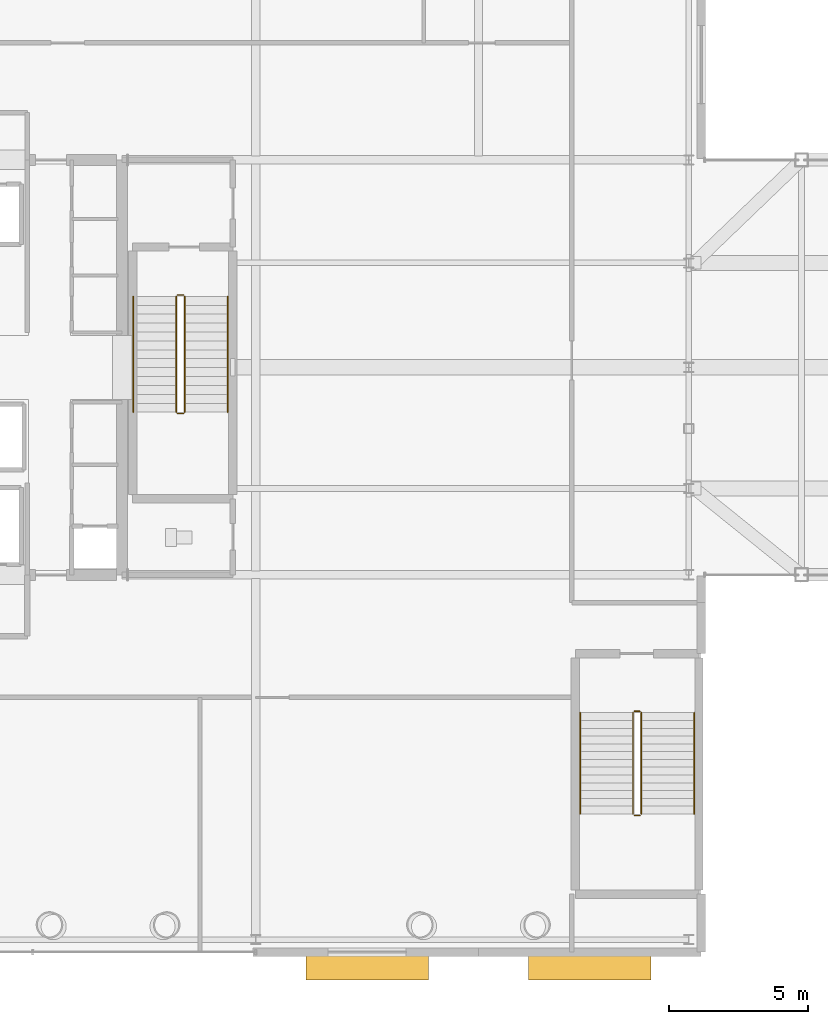
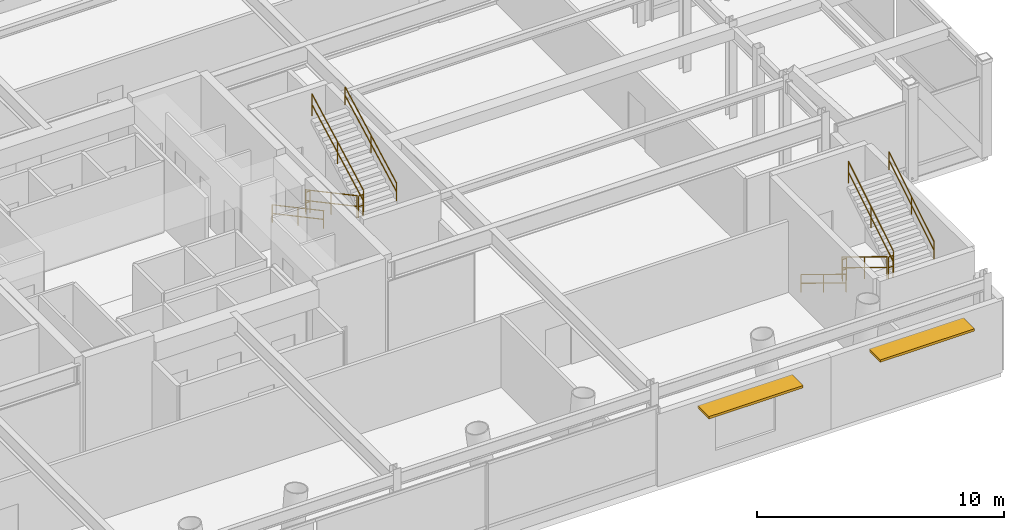
# One storey, part 24 of 26: 12 railings, 2 shading devices.
"""IFC4 building model written with IfcOpenShell, lengths in metres."""

import ifcopenshell
import ifcopenshell.guid

model = None  # the IFC model being written
_history = None  # IfcOwnerHistory: only IFC2X3 demands one
_inside = {}  # id of a spatial element -> (the spatial element, [elements in it])
_under = {}  # id of a project, library or spatial element -> (it, [spatial elements below it])
_declared = {}  # id of a project -> (the project, [libraries it declares])
_typed = {}  # id of a type object -> (the type object, [elements of that type])
_made_of = {}  # id of a material, layer set ... -> (it, [elements and type objects made of it])


def new_model(schema):
    """Start an empty IFC model of exactly this schema.

    Asked for "IFC4X3", IfcOpenShell would pick the latest addendum, in which some entities
    have other attributes; the version numbers below select the first issue.
    IFC2X3 requires an IfcOwnerHistory on every rooted entity: one is made here for all.
    """
    global model, _history
    if schema == "IFC4X3":
        model = ifcopenshell.file(schema_version=(4, 3, 0, 0))
    else:
        model = ifcopenshell.file(schema=schema)
    _inside.clear()
    _under.clear()
    _declared.clear()
    _typed.clear()
    _made_of.clear()
    _history = None
    if model.schema == "IFC2X3":
        org = make("IfcOrganization", Name="unknown")
        user = make(
            "IfcPersonAndOrganization",
            ThePerson=make("IfcPerson", FamilyName="unknown"),
            TheOrganization=org,
        )
        app = make(
            "IfcApplication",
            ApplicationDeveloper=org,
            Version="unknown",
            ApplicationFullName="unknown",
            ApplicationIdentifier="unknown",
        )
        _history = make(
            "IfcOwnerHistory",
            OwningUser=user,
            OwningApplication=app,
            ChangeAction="ADDED",
            CreationDate=0,
        )
    return model


def make(cls, **values):
    """One entity of the class cls with the attributes given. An attribute that is None is left unset."""
    return model.create_entity(
        cls, **{name: value for name, value in values.items() if value is not None}
    )


def rooted(cls, **values):
    """An entity with a GlobalId (a new one), such as an element, a storey or a relation."""
    return make(cls, GlobalId=ifcopenshell.guid.new(), OwnerHistory=_history, **values)


def si_unit(unit_type, name, prefix=None):
    """IfcSIUnit, for example si_unit("LENGTHUNIT", "METRE", prefix="MILLI")."""
    return make("IfcSIUnit", UnitType=unit_type, Prefix=prefix, Name=name)


def assignment(units):
    """IfcUnitAssignment: the units of a project."""
    return None if units is None else make("IfcUnitAssignment", Units=units)


def point(xyz):
    """IfcCartesianPoint."""
    return None if xyz is None else make("IfcCartesianPoint", Coordinates=xyz)


def direction(xyz):
    """IfcDirection."""
    return None if xyz is None else make("IfcDirection", DirectionRatios=xyz)


def frame(location, z_axis=None, x_axis=None):
    """IfcAxis2Placement3D, a coordinate frame: its origin and axes. An axis left out is left unset."""
    return make(
        "IfcAxis2Placement3D",
        Location=point(location),
        Axis=direction(z_axis),
        RefDirection=direction(x_axis),
    )


def frame_2d(location, x_axis=None):
    """IfcAxis2Placement2D, a coordinate frame in the plane: its origin and x axis."""
    return make(
        "IfcAxis2Placement2D", Location=point(location), RefDirection=direction(x_axis)
    )


def origin():
    """The frame at (0, 0, 0) with its axes left unset."""
    return frame((0.0, 0.0, 0.0))


def origin_2d():
    """The frame at (0, 0) in the plane with its x axis left unset."""
    return frame_2d((0.0, 0.0))


def place(relative_to, where):
    """IfcLocalPlacement: puts the frame where relative to a parent placement (None: the world)."""
    return make(
        "IfcLocalPlacement", PlacementRelTo=relative_to, RelativePlacement=where
    )


def context(
    kind, dimensions, precision=None, world=None, true_north=None, identifier=None
):
    """IfcGeometricRepresentationContext, for example the 3D "Model" context."""
    return make(
        "IfcGeometricRepresentationContext",
        ContextIdentifier=identifier,
        ContextType=kind,
        CoordinateSpaceDimension=dimensions,
        Precision=precision,
        WorldCoordinateSystem=world,
        TrueNorth=true_north,
    )


def subcontext(parent, identifier, kind, view, scale=None):
    """IfcGeometricRepresentationSubContext, for example "Body" below "Model"."""
    return make(
        "IfcGeometricRepresentationSubContext",
        ContextIdentifier=identifier,
        ContextType=kind,
        ParentContext=parent,
        TargetScale=scale,
        TargetView=view,
    )


def project(units=None, contexts=None):
    """IfcProject with its units and contexts."""
    return rooted(
        "IfcProject",
        Name="project",
        RepresentationContexts=contexts,
        UnitsInContext=assignment(units),
    )


def spatial(cls, under=None, at=None, **own):
    """A site, building, storey or space (cls), placed at a placement, below another one or the project."""
    s = rooted(cls, ObjectPlacement=at, **own)
    if under is not None:
        _under.setdefault(under.id(), (under, []))[1].append(s)
    return s


def profile(cls, at=None, kind="AREA", **sizes):
    """A parametric profile (cls). Its sizes go by their IFC names, for example OverallWidth=200.0."""
    return make(cls, ProfileType=kind, Position=at, **sizes)


def rectangle(**sizes):
    """IfcRectangleProfileDef."""
    return profile("IfcRectangleProfileDef", **sizes)


def circle(**sizes):
    """IfcCircleProfileDef."""
    return profile("IfcCircleProfileDef", **sizes)


def extrude(swept, where, along, depth):
    """IfcExtrudedAreaSolid: the profile swept, set in the frame where, extruded along a direction by depth."""
    return make(
        "IfcExtrudedAreaSolid",
        SweptArea=swept,
        Position=where,
        ExtrudedDirection=direction(along),
        Depth=depth,
    )


def shape(context_of_items, identifier, shape_type, items):
    """IfcShapeRepresentation: the items that make up one representation, for example the "Body"."""
    return make(
        "IfcShapeRepresentation",
        ContextOfItems=context_of_items,
        RepresentationIdentifier=identifier,
        RepresentationType=shape_type,
        Items=items,
    )


def material(Name=None, Category=None):
    """IfcMaterial."""
    return make("IfcMaterial", Name=Name, Category=Category)


def layer(
    of_material, thickness, ventilated=None, Name=None, Category=None, Priority=None
):
    """IfcMaterialLayer: one layer of a wall or slab, of a material (None: an air gap)."""
    return make(
        "IfcMaterialLayer",
        Material=of_material,
        LayerThickness=thickness,
        IsVentilated=ventilated,
        Name=Name,
        Category=Category,
        Priority=Priority,
    )


def layer_set(layers, Name=None):
    """IfcMaterialLayerSet."""
    return make("IfcMaterialLayerSet", MaterialLayers=layers, LayerSetName=Name)


def made_of(thing, what):
    """Note that an element or type object is made of a material, layer set ...; save() writes the relation."""
    if what is not None:
        _made_of.setdefault(what.id(), (what, []))[1].append(thing)
    return thing


def type_object(cls, material=None, **own):
    """A type object (cls), such as IfcWallType, which elements share."""
    return made_of(rooted(cls, **own), material)


def element(
    cls,
    number,
    at=None,
    inside=None,
    cuts=None,
    type_object=None,
    material=None,
    context=None,
    identifier="Body",
    shape_type=None,
    held_by="IfcProductDefinitionShape",
    body=None,
    shapes=None,
    **own,
):
    """One element of the class cls, such as IfcWall. Its Tag is "e" and its number.

    at: its placement. inside: the storey or other place that contains it. cuts: it is an
    opening in that element (IfcRelVoidsElement). A single representation is given by context,
    identifier, shape_type and body (its items); several are given by shapes. held_by: the class
    of the entity that holds the representations. save() writes the other relations.
    """
    e = rooted(cls, Tag="e%d" % number, ObjectPlacement=at, **own)
    if body is not None:
        shapes = [shape(context, identifier, shape_type, body)]
    if shapes is not None:
        e.Representation = make(held_by, Representations=shapes)
    if inside is not None:
        _inside.setdefault(inside.id(), (inside, []))[1].append(e)
    if cuts is not None:
        rooted(
            "IfcRelVoidsElement", RelatingBuildingElement=cuts, RelatedOpeningElement=e
        )
    if type_object is not None:
        _typed.setdefault(type_object.id(), (type_object, []))[1].append(e)
    return made_of(e, material)


def aggregate(whole, parts):
    """IfcRelAggregates: a whole, such as a stair, and the parts it consists of."""
    return rooted("IfcRelAggregates", RelatingObject=whole, RelatedObjects=parts)


def save(model, path):
    """Write the relations noted so far, then the file.

    IfcRelAggregates (storeys below a building ...), IfcRelContainedInSpatialStructure (elements
    in a storey), IfcRelDefinesByType, IfcRelAssociatesMaterial and IfcRelDeclares: one each for
    every whole, place, type object, material and project.
    """
    for whole, parts in _under.values():
        aggregate(whole, parts)
    for where, things in _inside.values():
        rooted(
            "IfcRelContainedInSpatialStructure",
            RelatedElements=things,
            RelatingStructure=where,
        )
    for kind, things in _typed.values():
        rooted("IfcRelDefinesByType", RelatedObjects=things, RelatingType=kind)
    for what, things in _made_of.values():
        rooted("IfcRelAssociatesMaterial", RelatedObjects=things, RelatingMaterial=what)
    for by, libraries in _declared.values():
        rooted("IfcRelDeclares", RelatingContext=by, RelatedDefinitions=libraries)
    model.write(path)


model = new_model("IFC4")

# Units and contexts
model_context = context("Model", 3, precision=1e-05, world=origin(), true_north=direction((0.0, 1.0)))
body_context = subcontext(model_context, "Body", "Model", "MODEL_VIEW")
ifc_project = project(units=[si_unit("LENGTHUNIT", "METRE"), si_unit("AREAUNIT", "SQUARE_METRE"), si_unit("VOLUMEUNIT", "CUBIC_METRE"), si_unit("PLANEANGLEUNIT", "RADIAN"), si_unit("MASSUNIT", "GRAM", prefix="KILO")], contexts=[model_context])

# Site, building, storey
site_placement = place(None, origin())
site = spatial("IfcSite", under=ifc_project, at=site_placement, CompositionType="ELEMENT")
building_placement = place(site_placement, origin())
building = spatial("IfcBuilding", under=site, at=building_placement, Name="Veldorina Hangang Commons", CompositionType="ELEMENT")
storey_placement = place(building_placement, frame((0.0, 0.0, 10.0)))
storey = spatial("IfcBuildingStorey", under=building, at=storey_placement, Name="L02", CompositionType="ELEMENT", Elevation=10.0)

# Railings
ifc_material_1 = material(Name="Steel Painted Balustrade", Category="steel")
railing_type_1 = type_object("IfcRailingType", Name="RL-GRD-STAIR", PredefinedType="GUARDRAIL", material=ifc_material_1)
railing_1_placement = place(storey_placement, frame((41.14990234375, 26.550048828125, 0.17138671875)))
element("IfcRailing", 1, at=railing_1_placement, inside=storey, type_object=railing_type_1, Name="L02 ST-2 stair guard 1", PredefinedType="GUARDRAIL", context=body_context, shape_type="SweptSolid", body=[
    extrude(circle(Radius=0.02392578125, at=origin_2d()), frame((0.0, 0.0, 1.076171875), z_axis=(0.0, -0.881492274372, 0.472198443689), x_axis=(1.0, 0.0, 0.0)), (0.0, 0.0, 1.0), 4.719482421875),
    extrude(circle(Radius=0.02392578125, at=origin_2d()), frame((0.0, 0.0, 0.550048828125), z_axis=(0.0, -0.881492274372, 0.472198443689), x_axis=(1.0, 0.0, 0.0)), (0.0, 0.0, 1.0), 4.719482421875),
    extrude(circle(Radius=0.02099609375, at=origin_2d()), origin(), (0.0, 0.0, 1.0), 1.052001953125),
    extrude(circle(Radius=0.02099609375, at=origin_2d()), frame((0.0, -2.080078125, 1.1142578125)), (0.0, 0.0, 1.0), 1.052001953125),
    extrude(circle(Radius=0.02099609375, at=origin_2d()), frame((0.0, -4.16015625, 2.228515625)), (0.0, 0.0, 1.0), 1.052001953125),
])
railing_2_placement = place(storey_placement, frame((41.199951171875, 22.340087890625, 2.39990234375)))
element("IfcRailing", 2, at=railing_2_placement, inside=storey, type_object=railing_type_1, Name="L02 ST-2 stair guard 2", PredefinedType="GUARDRAIL", context=body_context, shape_type="SweptSolid", body=[
    extrude(circle(Radius=0.02392578125, at=origin_2d()), frame((0.0, 0.0, 1.076171875), z_axis=(1.0, 0.0, 0.0), x_axis=(0.0, 1.0, 0.0)), (0.0, 0.0, 1.0), 0.199951171875),
    extrude(circle(Radius=0.02392578125, at=origin_2d()), frame((0.0, 0.0, 0.550048828125), z_axis=(1.0, 0.0, 0.0), x_axis=(0.0, 1.0, 0.0)), (0.0, 0.0, 1.0), 0.199951171875),
    extrude(circle(Radius=0.02099609375, at=origin_2d()), origin(), (0.0, 0.0, 1.0), 1.052001953125),
    extrude(circle(Radius=0.02099609375, at=origin_2d()), frame((0.199951171875, 0.0, 0.0)), (0.0, 0.0, 1.0), 1.052001953125),
])
railing_3_placement = place(storey_placement, frame((41.449951171875, 22.389892578125, 2.571533203125)))
element("IfcRailing", 3, at=railing_3_placement, inside=storey, type_object=railing_type_1, Name="L02 ST-2 stair guard 3", PredefinedType="GUARDRAIL", context=body_context, shape_type="SweptSolid", body=[
    extrude(circle(Radius=0.02392578125, at=origin_2d()), frame((0.0, 0.0, 1.076171875), z_axis=(0.0, 0.881492274372, 0.472198443689), x_axis=(-1.0, 0.0, 0.0)), (0.0, 0.0, 1.0), 4.719482421875),
    extrude(circle(Radius=0.02392578125, at=origin_2d()), frame((0.0, 0.0, 0.550048828125), z_axis=(0.0, 0.881492274372, 0.472198443689), x_axis=(-1.0, 0.0, 0.0)), (0.0, 0.0, 1.0), 4.719482421875),
    extrude(circle(Radius=0.02099609375, at=origin_2d()), origin(), (0.0, 0.0, 1.0), 1.052001953125),
    extrude(circle(Radius=0.02099609375, at=origin_2d()), frame((0.0, 2.080078125, 1.1142578125)), (0.0, 0.0, 1.0), 1.052001953125),
    extrude(circle(Radius=0.02099609375, at=origin_2d()), frame((0.0, 4.16015625, 2.228515625)), (0.0, 0.0, 1.0), 1.052001953125),
])
railing_4_placement = place(storey_placement, frame((41.199951171875, 26.60009765625, 0.0)))
element("IfcRailing", 4, at=railing_4_placement, inside=storey, type_object=railing_type_1, Name="L02 ST-2 stair guard 4", PredefinedType="GUARDRAIL", context=body_context, shape_type="SweptSolid", body=[
    extrude(circle(Radius=0.02392578125, at=origin_2d()), frame((0.0, 0.0, 1.076171875), z_axis=(1.0, 0.0, 0.0), x_axis=(0.0, 1.0, 0.0)), (0.0, 0.0, 1.0), 0.199951171875),
    extrude(circle(Radius=0.02392578125, at=origin_2d()), frame((0.0, 0.0, 0.550048828125), z_axis=(1.0, 0.0, 0.0), x_axis=(0.0, 1.0, 0.0)), (0.0, 0.0, 1.0), 0.199951171875),
    extrude(circle(Radius=0.02099609375, at=origin_2d()), origin(), (0.0, 0.0, 1.0), 1.052001953125),
    extrude(circle(Radius=0.02099609375, at=origin_2d()), frame((0.199951171875, 0.0, 0.0)), (0.0, 0.0, 1.0), 1.052001953125),
])
railing_5_placement = place(storey_placement, frame((57.550048828125, 11.60009765625, 0.17138671875)))
element("IfcRailing", 5, at=railing_5_placement, inside=storey, type_object=railing_type_1, Name="L02 ST-P2 stair guard 1", PredefinedType="GUARDRAIL", context=body_context, shape_type="SweptSolid", body=[
    extrude(circle(Radius=0.02392578125, at=origin_2d()), frame((0.0, 0.0, 1.076171875), z_axis=(0.0, -0.852865859571, 0.52213008492), x_axis=(1.0, 0.0, 0.0)), (0.0, 0.0, 1.0), 4.26806640625),
    extrude(circle(Radius=0.02392578125, at=origin_2d()), frame((0.0, 0.0, 0.550048828125), z_axis=(0.0, -0.852865859571, 0.52213008492), x_axis=(1.0, 0.0, 0.0)), (0.0, 0.0, 1.0), 4.26806640625),
    extrude(circle(Radius=0.02099609375, at=origin_2d()), origin(), (0.0, 0.0, 1.0), 1.052001953125),
    extrude(circle(Radius=0.02099609375, at=origin_2d()), frame((0.0, -1.820068359375, 1.1142578125)), (0.0, 0.0, 1.0), 1.052001953125),
    extrude(circle(Radius=0.02099609375, at=origin_2d()), frame((0.0, -3.64013671875, 2.228515625)), (0.0, 0.0, 1.0), 1.052001953125),
])
railing_6_placement = place(storey_placement, frame((57.60009765625, 7.909912109375, 2.39990234375)))
element("IfcRailing", 6, at=railing_6_placement, inside=storey, type_object=railing_type_1, Name="L02 ST-P2 stair guard 2", PredefinedType="GUARDRAIL", context=body_context, shape_type="SweptSolid", body=[
    extrude(circle(Radius=0.02392578125, at=origin_2d()), frame((0.0, 0.0, 1.076171875), z_axis=(1.0, 0.0, 0.0), x_axis=(0.0, 1.0, 0.0)), (0.0, 0.0, 1.0), 0.199951171875),
    extrude(circle(Radius=0.02392578125, at=origin_2d()), frame((0.0, 0.0, 0.550048828125), z_axis=(1.0, 0.0, 0.0), x_axis=(0.0, 1.0, 0.0)), (0.0, 0.0, 1.0), 0.199951171875),
    extrude(circle(Radius=0.02099609375, at=origin_2d()), origin(), (0.0, 0.0, 1.0), 1.052001953125),
    extrude(circle(Radius=0.02099609375, at=origin_2d()), frame((0.199951171875, 0.0, 0.0)), (0.0, 0.0, 1.0), 1.052001953125),
])
railing_7_placement = place(storey_placement, frame((57.85009765625, 7.9599609375, 2.571533203125)))
element("IfcRailing", 7, at=railing_7_placement, inside=storey, type_object=railing_type_1, Name="L02 ST-P2 stair guard 3", PredefinedType="GUARDRAIL", context=body_context, shape_type="SweptSolid", body=[
    extrude(circle(Radius=0.02392578125, at=origin_2d()), frame((0.0, 0.0, 1.076171875), z_axis=(0.0, 0.852865859571, 0.52213008492), x_axis=(-1.0, 0.0, 0.0)), (0.0, 0.0, 1.0), 4.26806640625),
    extrude(circle(Radius=0.02392578125, at=origin_2d()), frame((0.0, 0.0, 0.550048828125), z_axis=(0.0, 0.852865859571, 0.52213008492), x_axis=(-1.0, 0.0, 0.0)), (0.0, 0.0, 1.0), 4.26806640625),
    extrude(circle(Radius=0.02099609375, at=origin_2d()), origin(), (0.0, 0.0, 1.0), 1.052001953125),
    extrude(circle(Radius=0.02099609375, at=origin_2d()), frame((0.0, 1.820068359375, 1.1142578125)), (0.0, 0.0, 1.0), 1.052001953125),
    extrude(circle(Radius=0.02099609375, at=origin_2d()), frame((0.0, 3.64013671875, 2.228515625)), (0.0, 0.0, 1.0), 1.052001953125),
])
railing_8_placement = place(storey_placement, frame((57.60009765625, 11.64990234375, 0.0)))
element("IfcRailing", 8, at=railing_8_placement, inside=storey, type_object=railing_type_1, Name="L02 ST-P2 stair guard 4", PredefinedType="GUARDRAIL", context=body_context, shape_type="SweptSolid", body=[
    extrude(circle(Radius=0.02392578125, at=origin_2d()), frame((0.0, 0.0, 1.076171875), z_axis=(1.0, 0.0, 0.0), x_axis=(0.0, 1.0, 0.0)), (0.0, 0.0, 1.0), 0.199951171875),
    extrude(circle(Radius=0.02392578125, at=origin_2d()), frame((0.0, 0.0, 0.550048828125), z_axis=(1.0, 0.0, 0.0), x_axis=(0.0, 1.0, 0.0)), (0.0, 0.0, 1.0), 0.199951171875),
    extrude(circle(Radius=0.02099609375, at=origin_2d()), origin(), (0.0, 0.0, 1.0), 1.052001953125),
    extrude(circle(Radius=0.02099609375, at=origin_2d()), frame((0.199951171875, 0.0, 0.0)), (0.0, 0.0, 1.0), 1.052001953125),
])
ifc_material_2 = material(Name="Stainless Steel Brushed 316", Category="steel")
railing_type_2 = type_object("IfcRailingType", Name="RL-HND-STAIR", PredefinedType="HANDRAIL", material=ifc_material_2)
railing_9_placement = place(storey_placement, frame((39.60009765625, 26.550048828125, 0.17138671875)))
element("IfcRailing", 9, at=railing_9_placement, inside=storey, type_object=railing_type_2, Name="L02 ST-2 stair handrail 1", PredefinedType="HANDRAIL", context=body_context, shape_type="SweptSolid", body=[
    extrude(circle(Radius=0.02392578125, at=origin_2d()), frame((0.0, 0.0, 0.8759765625), z_axis=(0.0, -0.881492274372, 0.472198443689), x_axis=(1.0, 0.0, 0.0)), (0.0, 0.0, 1.0), 4.719482421875),
    extrude(circle(Radius=0.02392578125, at=origin_2d()), frame((0.0, 0.0, 0.449951171875), z_axis=(0.0, -0.881492274372, 0.472198443689), x_axis=(1.0, 0.0, 0.0)), (0.0, 0.0, 1.0), 4.719482421875),
    extrude(circle(Radius=0.02099609375, at=origin_2d()), origin(), (0.0, 0.0, 1.0), 0.851806640625),
    extrude(circle(Radius=0.02099609375, at=origin_2d()), frame((0.0, -2.080078125, 1.1142578125)), (0.0, 0.0, 1.0), 0.851806640625),
    extrude(circle(Radius=0.02099609375, at=origin_2d()), frame((0.0, -4.16015625, 2.228515625)), (0.0, 0.0, 1.0), 0.851806640625),
])
railing_10_placement = place(storey_placement, frame((43.0, 22.389892578125, 2.571533203125)))
element("IfcRailing", 10, at=railing_10_placement, inside=storey, type_object=railing_type_2, Name="L02 ST-2 stair handrail 2", PredefinedType="HANDRAIL", context=body_context, shape_type="SweptSolid", body=[
    extrude(circle(Radius=0.02392578125, at=origin_2d()), frame((0.0, 0.0, 0.8759765625), z_axis=(0.0, 0.881492274372, 0.472198443689), x_axis=(-1.0, 0.0, 0.0)), (0.0, 0.0, 1.0), 4.719482421875),
    extrude(circle(Radius=0.02392578125, at=origin_2d()), frame((0.0, 0.0, 0.449951171875), z_axis=(0.0, 0.881492274372, 0.472198443689), x_axis=(-1.0, 0.0, 0.0)), (0.0, 0.0, 1.0), 4.719482421875),
    extrude(circle(Radius=0.02099609375, at=origin_2d()), origin(), (0.0, 0.0, 1.0), 0.851806640625),
    extrude(circle(Radius=0.02099609375, at=origin_2d()), frame((0.0, 2.080078125, 1.1142578125)), (0.0, 0.0, 1.0), 0.851806640625),
    extrude(circle(Radius=0.02099609375, at=origin_2d()), frame((0.0, 4.16015625, 2.228515625)), (0.0, 0.0, 1.0), 0.851806640625),
])
railing_11_placement = place(storey_placement, frame((55.64990234375, 11.60009765625, 0.17138671875)))
element("IfcRailing", 11, at=railing_11_placement, inside=storey, type_object=railing_type_2, Name="L02 ST-P2 stair handrail 1", PredefinedType="HANDRAIL", context=body_context, shape_type="SweptSolid", body=[
    extrude(circle(Radius=0.02392578125, at=origin_2d()), frame((0.0, 0.0, 0.8759765625), z_axis=(0.0, -0.852865859571, 0.52213008492), x_axis=(1.0, 0.0, 0.0)), (0.0, 0.0, 1.0), 4.26806640625),
    extrude(circle(Radius=0.02392578125, at=origin_2d()), frame((0.0, 0.0, 0.449951171875), z_axis=(0.0, -0.852865859571, 0.52213008492), x_axis=(1.0, 0.0, 0.0)), (0.0, 0.0, 1.0), 4.26806640625),
    extrude(circle(Radius=0.02099609375, at=origin_2d()), origin(), (0.0, 0.0, 1.0), 0.851806640625),
    extrude(circle(Radius=0.02099609375, at=origin_2d()), frame((0.0, -1.820068359375, 1.1142578125)), (0.0, 0.0, 1.0), 0.851806640625),
    extrude(circle(Radius=0.02099609375, at=origin_2d()), frame((0.0, -3.64013671875, 2.228515625)), (0.0, 0.0, 1.0), 0.851806640625),
])
railing_12_placement = place(storey_placement, frame((59.75, 7.9599609375, 2.571533203125)))
element("IfcRailing", 12, at=railing_12_placement, inside=storey, type_object=railing_type_2, Name="L02 ST-P2 stair handrail 2", PredefinedType="HANDRAIL", context=body_context, shape_type="SweptSolid", body=[
    extrude(circle(Radius=0.02392578125, at=origin_2d()), frame((0.0, 0.0, 0.8759765625), z_axis=(0.0, 0.852865859571, 0.52213008492), x_axis=(-1.0, 0.0, 0.0)), (0.0, 0.0, 1.0), 4.26806640625),
    extrude(circle(Radius=0.02392578125, at=origin_2d()), frame((0.0, 0.0, 0.449951171875), z_axis=(0.0, 0.852865859571, 0.52213008492), x_axis=(-1.0, 0.0, 0.0)), (0.0, 0.0, 1.0), 4.26806640625),
    extrude(circle(Radius=0.02099609375, at=origin_2d()), origin(), (0.0, 0.0, 1.0), 0.851806640625),
    extrude(circle(Radius=0.02099609375, at=origin_2d()), frame((0.0, 1.820068359375, 1.1142578125)), (0.0, 0.0, 1.0), 0.851806640625),
    extrude(circle(Radius=0.02099609375, at=origin_2d()), frame((0.0, 3.64013671875, 2.228515625)), (0.0, 0.0, 1.0), 0.851806640625),
])

# Shading devices
ifc_material_3 = material(Name="Stone Roman Travertine", Category="masonry")
ifc_layer = layer(ifc_material_3, 0.1201171875)
ifc_layer_set = layer_set([ifc_layer], Name="Stone Roman Travertine")
shading_device_type = type_object("IfcShadingDeviceType", Name="SHD-POD-4000", PredefinedType="USERDEFINED", material=ifc_layer_set)
for number, where, z_axis, x_axis, name in (
    (13, (48.0, 2.449951171875, 3.18994140625), (0.0, 0.0, 1.0), (1.0, 0.0, 0.0), "L02 south travertine sunshade S6"),
    (14, (56.0, 2.449951171875, 3.18994140625), (0.0, 0.0, 1.0), (1.0, 0.0, 0.0), "L02 south travertine sunshade S7"),
):
    element("IfcShadingDevice", number, at=place(storey_placement, frame(where, z_axis=z_axis, x_axis=x_axis)), inside=storey, type_object=shading_device_type, Name=name, ObjectType="SUNSHADE", PredefinedType="USERDEFINED", context=body_context, shape_type="SweptSolid", body=[
        extrude(rectangle(XDim=4.39990234375, YDim=0.89990234375, at=origin_2d()), origin(), (0.0, 0.0, 1.0), 0.1201171875),
    ])

save(model, "model.ifc")
